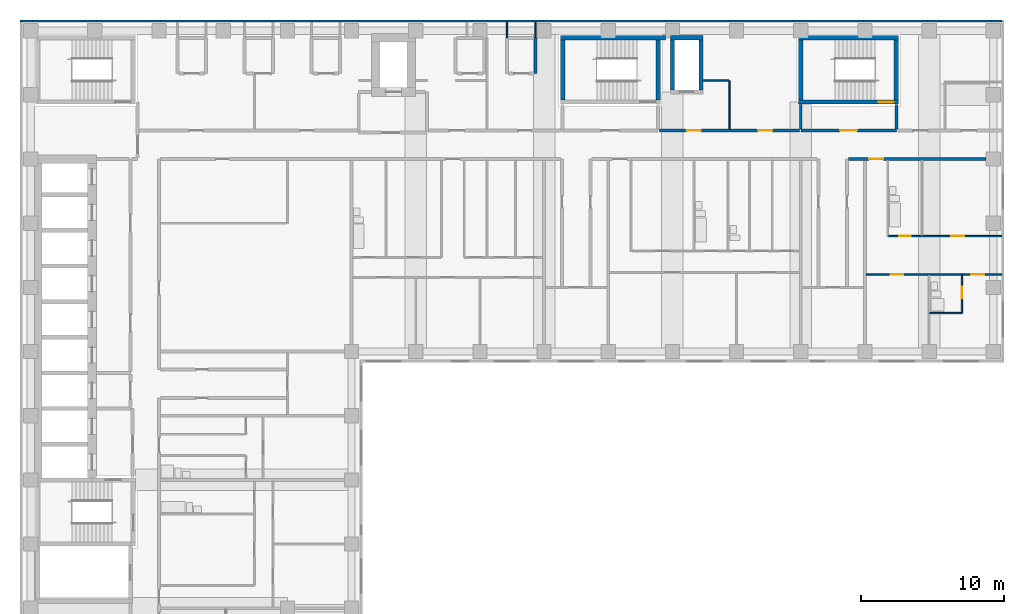
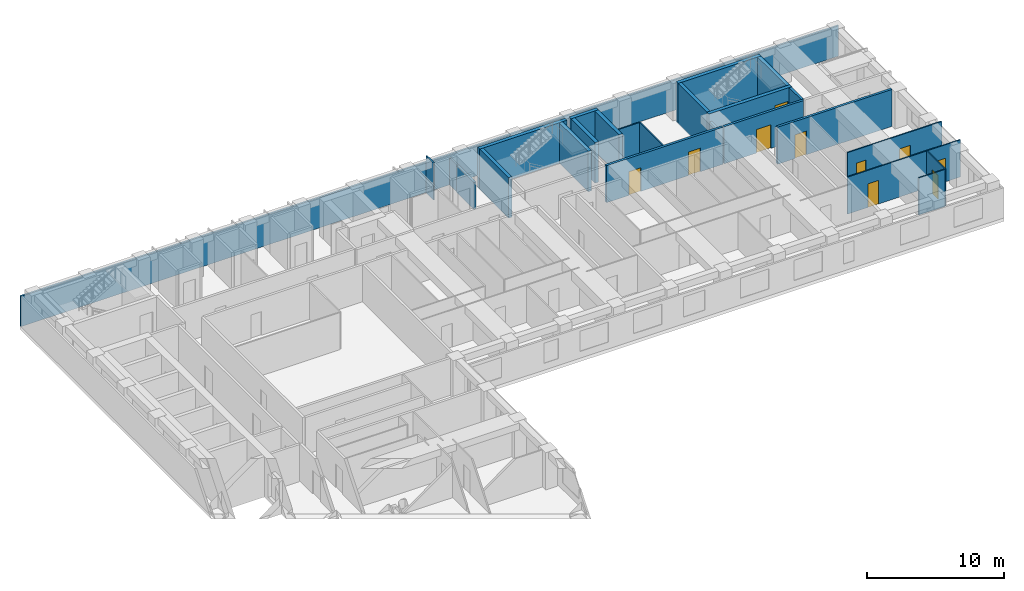
# One storey, part 8 of 11: 25 walls, 10 doors, 10 openings.
"""IFC4 building model written with IfcOpenShell, lengths in metres."""

from ifc_helpers import new_model, si_unit, direction, frame, frame_2d, origin, place, context, subcontext, project, spatial, rectangle, extrude, material, layer, layer_set, type_object, element, fill, save


model = new_model("IFC4")

# Units and contexts
model_context = context("Model", 3, precision=1e-05, world=origin(), true_north=direction((0.0, 1.0)))
body_context = subcontext(model_context, "Body", "Model", "MODEL_VIEW")
ifc_project = project(units=[si_unit("LENGTHUNIT", "METRE"), si_unit("AREAUNIT", "SQUARE_METRE"), si_unit("VOLUMEUNIT", "CUBIC_METRE"), si_unit("PLANEANGLEUNIT", "RADIAN"), si_unit("MASSUNIT", "GRAM", prefix="KILO")], contexts=[model_context])

# Site, building, storey
site_placement = place(None, origin())
site = spatial("IfcSite", under=ifc_project, at=site_placement, CompositionType="ELEMENT")
building_placement = place(site_placement, origin())
building = spatial("IfcBuilding", under=site, at=building_placement, Name="Firuza Court", CompositionType="ELEMENT")
storey_placement = place(building_placement, frame((0.0, 0.0, 130.39990234375)))
storey = spatial("IfcBuildingStorey", under=building, at=storey_placement, Name="L32", CompositionType="ELEMENT", Elevation=130.39990234375)

# Wall
ifc_material_1 = material(Name="Moisture-resistant gypsum board partition")
ifc_layer_1 = layer(ifc_material_1, 0.10009765625)
ifc_layer_set_1 = layer_set([ifc_layer_1], Name="Moisture-resistant gypsum board partition")
wall_type_1 = type_object("IfcWallType", Name="Bathroom partition 100", PredefinedType="PLUMBINGWALL", material=ifc_layer_set_1)
wall_1_placement = place(storey_placement, frame((63.050048828125, 38.699951171875, 0.0), z_axis=(0.0, 0.0, 1.0), x_axis=(1.0, 0.0, 0.0)))
element("IfcWall", 1, at=wall_1_placement, inside=storey, type_object=wall_type_1, Name="Bathroom partition 100 L32", PredefinedType="PLUMBINGWALL", context=body_context, shape_type="SweptSolid", body=[
    extrude(rectangle(XDim=2.199951171875, YDim=0.10009765625, at=frame_2d((1.10009765625, 0.0))), origin(), (0.0, 0.0, 1.0), 3.300048828125),
])

# Wall, opening, door
wall_2_placement = place(storey_placement, frame((65.300048828125, 38.699951171875, 0.0), z_axis=(0.0, 0.0, 1.0), x_axis=(0.0, 1.0, 0.0)))
wall_2 = element("IfcWall", 2, at=wall_2_placement, inside=storey, type_object=wall_type_1, Name="Bathroom partition 100 L32", PredefinedType="PLUMBINGWALL", context=body_context, shape_type="SweptSolid", body=[
    extrude(rectangle(XDim=2.650146484375, YDim=0.10009765625, at=frame_2d((1.3251953125, 0.0))), origin(), (0.0, 0.0, 1.0), 3.300048828125),
])
opening_1_placement = place(wall_2_placement, frame((1.050048828125, 0.0, 0.0)))
opening_1 = element("IfcOpeningElement", 3, at=opening_1_placement, cuts=wall_2, Name="Opening D32038", PredefinedType="OPENING", context=body_context, shape_type="SweptSolid", body=[
    extrude(rectangle(XDim=0.800048828125, YDim=2.10009765625, at=frame_2d((0.39990234375, 1.050048828125))), frame((0.0, 0.06201171875, 0.0), z_axis=(0.0, -1.0, 0.0), x_axis=(1.0, 0.0, 0.0)), (0.0, 0.0, 1.0), 0.1240234375),
])
ifc_material_2 = material(Name="Timber door leaf in hardwood frame", Category="wood")
door_type_1 = type_object("IfcDoorType", Name="Bathroom door 800", OperationType="SINGLE_SWING_LEFT", PredefinedType="DOOR", material=ifc_material_2)
door_1_placement = place(opening_1_placement, origin())
door_1 = element("IfcDoor", 4, at=door_1_placement, inside=storey, type_object=door_type_1, Name="En-suite door", OperationType="SINGLE_SWING_RIGHT", OverallHeight=2.10009765625, OverallWidth=0.800048828125, PredefinedType="DOOR", context=body_context, shape_type="SweptSolid", body=[
    extrude(rectangle(XDim=0.800048828125, YDim=2.10009765625, at=frame_2d((0.39990234375, 1.050048828125))), frame((0.0, 0.02490234375, 0.0), z_axis=(0.0, -1.0, 0.0), x_axis=(1.0, 0.0, 0.0)), (0.0, 0.0, 1.0), 0.050048828125),
])
fill(opening_1, door_1)

# Walls
ifc_material_3 = material(Name="Concrete C60/75", Category="concrete")
ifc_layer_2 = layer(ifc_material_3, 0.300048828125)
ifc_layer_set_2 = layer_set([ifc_layer_2], Name="Concrete C60/75")
wall_type_2 = type_object("IfcWallType", Name="Core wall 300 C60/75", PredefinedType="SHEAR", material=ifc_layer_set_2)
wall_3_placement = place(storey_placement, frame((37.14990234375, 58.0, -0.2998046875), z_axis=(0.0, 0.0, 1.0), x_axis=(1.0, 0.0, 0.0)))
element("IfcWall", 5, at=wall_3_placement, inside=storey, type_object=wall_type_2, Name="Core wall stair L32", PredefinedType="SHEAR", context=body_context, shape_type="SweptSolid", body=[
    extrude(rectangle(XDim=7.35009765625, YDim=0.300048828125, at=frame_2d((3.675048828125, 0.0))), origin(), (0.0, 0.0, 1.0), 3.599853515625),
])
for number, where, z_axis, x_axis, name in (
    (6, (37.300048828125, 53.64990234375, -0.2998046875), (0.0, 0.0, 1.0), (0.0, 1.0, 0.0), "Core wall stair L32"),
    (7, (44.0, 53.64990234375, -0.2998046875), (0.0, 0.0, 1.0), (0.0, 1.0, 0.0), "Core wall stair L32"),
):
    element("IfcWall", number, at=place(storey_placement, frame(where, z_axis=z_axis, x_axis=x_axis)), inside=storey, type_object=wall_type_2, Name=name, PredefinedType="SHEAR", context=body_context, shape_type="SweptSolid", body=[
        extrude(rectangle(XDim=4.2001953125, YDim=0.300048828125, at=frame_2d((2.10009765625, 0.0))), origin(), (0.0, 0.0, 1.0), 3.599853515625),
    ])
wall_4_placement = place(storey_placement, frame((44.85009765625, 58.0, -0.2998046875), z_axis=(0.0, 0.0, 1.0), x_axis=(1.0, 0.0, 0.0)))
element("IfcWall", 8, at=wall_4_placement, inside=storey, type_object=wall_type_2, Name="Core wall riser L32", PredefinedType="SHEAR", context=body_context, shape_type="SweptSolid", body=[
    extrude(rectangle(XDim=2.2998046875, YDim=0.300048828125, at=frame_2d((1.14990234375, 0.0))), origin(), (0.0, 0.0, 1.0), 3.599853515625),
])
for number, where, z_axis, x_axis, name in (
    (9, (45.0, 54.35009765625, -0.2998046875), (0.0, 0.0, 1.0), (0.0, 1.0, 0.0), "Core wall riser L32"),
    (10, (47.0, 54.35009765625, -0.2998046875), (0.0, 0.0, 1.0), (0.0, 1.0, 0.0), "Core wall riser L32"),
):
    element("IfcWall", number, at=place(storey_placement, frame(where, z_axis=z_axis, x_axis=x_axis)), inside=storey, type_object=wall_type_2, Name=name, PredefinedType="SHEAR", context=body_context, shape_type="SweptSolid", body=[
        extrude(rectangle(XDim=3.5, YDim=0.300048828125, at=frame_2d((1.75, 0.0))), origin(), (0.0, 0.0, 1.0), 3.599853515625),
    ])

# Wall, opening, door
wall_5_placement = place(storey_placement, frame((53.85009765625, 53.5, -0.2998046875), z_axis=(0.0, 0.0, 1.0), x_axis=(1.0, 0.0, 0.0)))
wall_5 = element("IfcWall", 11, at=wall_5_placement, inside=storey, type_object=wall_type_2, Name="Core wall stair L32", PredefinedType="SHEAR", context=body_context, shape_type="SweptSolid", body=[
    extrude(rectangle(XDim=7.0, YDim=0.300048828125, at=frame_2d((3.5, 0.0))), origin(), (0.0, 0.0, 1.0), 3.599853515625),
])
opening_2_placement = place(wall_5_placement, frame((5.580078125, 0.0, 0.300048828125)))
opening_2 = element("IfcOpeningElement", 12, at=opening_2_placement, cuts=wall_5, Name="Opening D32016", PredefinedType="OPENING", context=body_context, shape_type="SweptSolid", body=[
    extrude(rectangle(XDim=1.10009765625, YDim=2.10009765625, at=frame_2d((0.550048828125, 1.050048828125))), frame((0.0, 0.162109375, 0.0), z_axis=(0.0, -1.0, 0.0), x_axis=(1.0, 0.0, 0.0)), (0.0, 0.0, 1.0), 0.323974609375),
])
ifc_material_4 = material(Name="Timber door leaf in hardwood frame", Category="wood")
door_type_2 = type_object("IfcDoorType", Name="Stair door 1100", OperationType="SINGLE_SWING_LEFT", PredefinedType="DOOR", material=ifc_material_4)
door_2_placement = place(opening_2_placement, origin())
door_2 = element("IfcDoor", 13, at=door_2_placement, inside=storey, type_object=door_type_2, Name="Stair door S4", OperationType="SINGLE_SWING_RIGHT", OverallHeight=2.10009765625, OverallWidth=1.10009765625, PredefinedType="DOOR", context=body_context, shape_type="SweptSolid", body=[
    extrude(rectangle(XDim=1.10009765625, YDim=2.10009765625, at=frame_2d((0.550048828125, 1.050048828125))), frame((0.0, 0.02490234375, 0.0), z_axis=(0.0, -1.0, 0.0), x_axis=(1.0, 0.0, 0.0)), (0.0, 0.0, 1.0), 0.050048828125),
])
fill(opening_2, door_2)

# Walls
wall_6_placement = place(storey_placement, frame((53.85009765625, 58.0, -0.2998046875), z_axis=(0.0, 0.0, 1.0), x_axis=(1.0, 0.0, 0.0)))
element("IfcWall", 14, at=wall_6_placement, inside=storey, type_object=wall_type_2, Name="Core wall stair L32", PredefinedType="SHEAR", context=body_context, shape_type="SweptSolid", body=[
    extrude(rectangle(XDim=7.0, YDim=0.300048828125, at=frame_2d((3.5, 0.0))), origin(), (0.0, 0.0, 1.0), 3.599853515625),
])
for number, where, z_axis, x_axis, name in (
    (15, (54.0, 53.64990234375, -0.2998046875), (0.0, 0.0, 1.0), (0.0, 1.0, 0.0), "Core wall stair L32"),
    (16, (60.699951171875, 53.64990234375, -0.2998046875), (0.0, 0.0, 1.0), (0.0, 1.0, 0.0), "Core wall stair L32"),
):
    element("IfcWall", number, at=place(storey_placement, frame(where, z_axis=z_axis, x_axis=x_axis)), inside=storey, type_object=wall_type_2, Name=name, PredefinedType="SHEAR", context=body_context, shape_type="SweptSolid", body=[
        extrude(rectangle(XDim=4.2001953125, YDim=0.300048828125, at=frame_2d((2.10009765625, 0.0))), origin(), (0.0, 0.0, 1.0), 3.599853515625),
    ])

# Wall, opening, door
ifc_material_5 = material(Name="Blockwork, plastered both sides", Category="masonry")
ifc_layer_3 = layer(ifc_material_5, 0.199951171875)
ifc_layer_set_3 = layer_set([ifc_layer_3], Name="Blockwork, plastered both sides")
wall_type_3 = type_object("IfcWallType", Name="Corridor wall 200", PredefinedType="PARTITIONING", material=ifc_layer_set_3)
wall_7_placement = place(storey_placement, frame((57.35009765625, 49.5, 0.0), z_axis=(0.0, 0.0, 1.0), x_axis=(1.0, 0.0, 0.0)))
wall_7 = element("IfcWall", 17, at=wall_7_placement, inside=storey, type_object=wall_type_3, Name="Corridor wall 200 L32", PredefinedType="PARTITIONING", context=body_context, shape_type="SweptSolid", body=[
    extrude(rectangle(XDim=9.64990234375, YDim=0.199951171875, at=frame_2d((4.824951171875, 0.0))), origin(), (0.0, 0.0, 1.0), 3.300048828125),
])
opening_3_placement = place(wall_7_placement, frame((1.449951171875, 0.0, 0.0)))
opening_3 = element("IfcOpeningElement", 18, at=opening_3_placement, cuts=wall_7, Name="Opening D32067", PredefinedType="OPENING", context=body_context, shape_type="SweptSolid", body=[
    extrude(rectangle(XDim=1.0, YDim=2.10009765625, at=frame_2d((0.5, 1.050048828125))), frame((0.0, 0.11181640625, 0.0), z_axis=(0.0, -1.0, 0.0), x_axis=(1.0, 0.0, 0.0)), (0.0, 0.0, 1.0), 0.223876953125),
])
ifc_material_6 = material(Name="Timber door leaf in hardwood frame", Category="wood")
door_type_3 = type_object("IfcDoorType", Name="Flat entrance door 1000", OperationType="SINGLE_SWING_LEFT", PredefinedType="DOOR", material=ifc_material_6)
door_3_placement = place(opening_3_placement, origin())
door_3 = element("IfcDoor", 19, at=door_3_placement, inside=storey, type_object=door_type_3, Name="Flat entrance door", OperationType="SINGLE_SWING_LEFT", OverallHeight=2.10009765625, OverallWidth=1.0, PredefinedType="DOOR", context=body_context, shape_type="SweptSolid", body=[
    extrude(rectangle(XDim=1.0, YDim=2.10009765625, at=frame_2d((0.5, 1.050048828125))), frame((0.0, 0.02490234375, 0.0), z_axis=(0.0, -1.0, 0.0), x_axis=(1.0, 0.0, 0.0)), (0.0, 0.0, 1.0), 0.050048828125),
])
fill(opening_3, door_3)

# Wall, openings, doors
wall_8_placement = place(storey_placement, frame((44.10009765625, 51.5, 0.0), z_axis=(0.0, 0.0, 1.0), x_axis=(1.0, 0.0, 0.0)))
wall_8 = element("IfcWall", 20, at=wall_8_placement, inside=storey, type_object=wall_type_3, Name="Corridor wall 200 L32", PredefinedType="PARTITIONING", context=body_context, shape_type="SweptSolid", body=[
    extrude(rectangle(XDim=9.7998046875, YDim=0.199951171875, at=frame_2d((4.89990234375, 0.0))), origin(), (0.0, 0.0, 1.0), 3.300048828125),
])
opening_4_placement = place(wall_8_placement, frame((1.89990234375, 0.0, 0.0)))
opening_4 = element("IfcOpeningElement", 21, at=opening_4_placement, cuts=wall_8, Name="Opening D32072", PredefinedType="OPENING", context=body_context, shape_type="SweptSolid", body=[
    extrude(rectangle(XDim=1.0, YDim=2.10009765625, at=frame_2d((0.5, 1.050048828125))), frame((0.0, 0.11181640625, 0.0), z_axis=(0.0, -1.0, 0.0), x_axis=(1.0, 0.0, 0.0)), (0.0, 0.0, 1.0), 0.223876953125),
])
opening_5_placement = place(wall_8_placement, frame((6.89990234375, 0.0, 0.0)))
opening_5 = element("IfcOpeningElement", 22, at=opening_5_placement, cuts=wall_8, Name="Opening D32073", PredefinedType="OPENING", context=body_context, shape_type="SweptSolid", body=[
    extrude(rectangle(XDim=1.0, YDim=2.10009765625, at=frame_2d((0.5, 1.050048828125))), frame((0.0, 0.11181640625, 0.0), z_axis=(0.0, -1.0, 0.0), x_axis=(1.0, 0.0, 0.0)), (0.0, 0.0, 1.0), 0.223876953125),
])
ifc_material_7 = material(Name="Timber door leaf in hardwood frame", Category="wood")
door_type_4 = type_object("IfcDoorType", Name="Store door 1000", OperationType="SINGLE_SWING_LEFT", PredefinedType="DOOR", material=ifc_material_7)
door_4_placement = place(opening_4_placement, origin())
door_4 = element("IfcDoor", 23, at=door_4_placement, inside=storey, type_object=door_type_4, Name="Cleaner's store door", OperationType="SINGLE_SWING_LEFT", OverallHeight=2.10009765625, OverallWidth=1.0, PredefinedType="DOOR", context=body_context, shape_type="SweptSolid", body=[
    extrude(rectangle(XDim=1.0, YDim=2.10009765625, at=frame_2d((0.5, 1.050048828125))), frame((0.0, 0.02490234375, 0.0), z_axis=(0.0, -1.0, 0.0), x_axis=(1.0, 0.0, 0.0)), (0.0, 0.0, 1.0), 0.050048828125),
])
fill(opening_4, door_4)
door_5_placement = place(opening_5_placement, origin())
door_5 = element("IfcDoor", 24, at=door_5_placement, inside=storey, type_object=door_type_4, Name="Bicycle store door", OperationType="SINGLE_SWING_LEFT", OverallHeight=2.10009765625, OverallWidth=1.0, PredefinedType="DOOR", context=body_context, shape_type="SweptSolid", body=[
    extrude(rectangle(XDim=1.0, YDim=2.10009765625, at=frame_2d((0.5, 1.050048828125))), frame((0.0, 0.02490234375, 0.0), z_axis=(0.0, -1.0, 0.0), x_axis=(1.0, 0.0, 0.0)), (0.0, 0.0, 1.0), 0.050048828125),
])
fill(opening_5, door_5)

ifc_material_8 = material(Name="Timber stud partition, plasterboard both sides", Category="wood")
ifc_layer_4 = layer(ifc_material_8, 0.10009765625)
ifc_layer_set_4 = layer_set([ifc_layer_4], Name="Timber stud partition, plasterboard both sides")
wall_type_4 = type_object("IfcWallType", Name="Partition wall 100", PredefinedType="PARTITIONING", material=ifc_layer_set_4)
wall_9_placement = place(storey_placement, frame((58.60009765625, 41.39990234375, 0.0), z_axis=(0.0, 0.0, 1.0), x_axis=(1.0, 0.0, 0.0)))
wall_9 = element("IfcWall", 25, at=wall_9_placement, inside=storey, type_object=wall_type_4, Name="Partition wall 100 L32", PredefinedType="PARTITIONING", context=body_context, shape_type="SweptSolid", body=[
    extrude(rectangle(XDim=9.5, YDim=0.10009765625, at=frame_2d((4.75, 0.0))), origin(), (0.0, 0.0, 1.0), 3.300048828125),
])
opening_6_placement = place(wall_9_placement, frame((1.699951171875, 0.0, 0.0)))
opening_6 = element("IfcOpeningElement", 26, at=opening_6_placement, cuts=wall_9, Name="Opening D32048", PredefinedType="OPENING", context=body_context, shape_type="SweptSolid", body=[
    extrude(rectangle(XDim=0.89990234375, YDim=2.10009765625, at=frame_2d((0.449951171875, 1.050048828125))), frame((0.0, 0.06201171875, 0.0), z_axis=(0.0, -1.0, 0.0), x_axis=(1.0, 0.0, 0.0)), (0.0, 0.0, 1.0), 0.1240234375),
])
opening_7_placement = place(wall_9_placement, frame((7.35009765625, 0.0, 0.0)))
opening_7 = element("IfcOpeningElement", 27, at=opening_7_placement, cuts=wall_9, Name="Opening D32049", PredefinedType="OPENING", context=body_context, shape_type="SweptSolid", body=[
    extrude(rectangle(XDim=0.89990234375, YDim=2.10009765625, at=frame_2d((0.449951171875, 1.050048828125))), frame((0.0, 0.06201171875, 0.0), z_axis=(0.0, -1.0, 0.0), x_axis=(1.0, 0.0, 0.0)), (0.0, 0.0, 1.0), 0.1240234375),
])
ifc_material_9 = material(Name="Timber door leaf in hardwood frame", Category="wood")
door_type_5 = type_object("IfcDoorType", Name="Room door 900", OperationType="SINGLE_SWING_LEFT", PredefinedType="DOOR", material=ifc_material_9)
door_6_placement = place(opening_6_placement, frame((0.89990234375, 0.0, 0.0), z_axis=(0.0, 0.0, 1.0), x_axis=(-1.0, 0.0, 0.0)))
door_6 = element("IfcDoor", 28, at=door_6_placement, inside=storey, type_object=door_type_5, Name="Living room door", OperationType="SINGLE_SWING_RIGHT", OverallHeight=2.10009765625, OverallWidth=0.89990234375, PredefinedType="DOOR", context=body_context, shape_type="SweptSolid", body=[
    extrude(rectangle(XDim=0.89990234375, YDim=2.10009765625, at=frame_2d((0.449951171875, 1.050048828125))), frame((0.0, 0.02490234375, 0.0), z_axis=(0.0, -1.0, 0.0), x_axis=(1.0, 0.0, 0.0)), (0.0, 0.0, 1.0), 0.050048828125),
])
fill(opening_6, door_6)
door_7_placement = place(opening_7_placement, frame((0.89990234375, 0.0, 0.0), z_axis=(0.0, 0.0, 1.0), x_axis=(-1.0, 0.0, 0.0)))
door_7 = element("IfcDoor", 29, at=door_7_placement, inside=storey, type_object=door_type_5, Name="Bedroom door", OperationType="SINGLE_SWING_RIGHT", OverallHeight=2.10009765625, OverallWidth=0.89990234375, PredefinedType="DOOR", context=body_context, shape_type="SweptSolid", body=[
    extrude(rectangle(XDim=0.89990234375, YDim=2.10009765625, at=frame_2d((0.449951171875, 1.050048828125))), frame((0.0, 0.02490234375, 0.0), z_axis=(0.0, -1.0, 0.0), x_axis=(1.0, 0.0, 0.0)), (0.0, 0.0, 1.0), 0.050048828125),
])
fill(opening_7, door_7)

wall_10_placement = place(storey_placement, frame((60.14990234375, 44.10009765625, 0.0), z_axis=(0.0, 0.0, 1.0), x_axis=(1.0, 0.0, 0.0)))
wall_10 = element("IfcWall", 30, at=wall_10_placement, inside=storey, type_object=wall_type_4, Name="Partition wall 100 L32", PredefinedType="PARTITIONING", context=body_context, shape_type="SweptSolid", body=[
    extrude(rectangle(XDim=7.9501953125, YDim=0.10009765625, at=frame_2d((3.97509765625, 0.0))), origin(), (0.0, 0.0, 1.0), 3.300048828125),
])
opening_8_placement = place(wall_10_placement, frame((0.75, 0.0, 0.0)))
opening_8 = element("IfcOpeningElement", 31, at=opening_8_placement, cuts=wall_10, Name="Opening D32062", PredefinedType="OPENING", context=body_context, shape_type="SweptSolid", body=[
    extrude(rectangle(XDim=0.800048828125, YDim=2.10009765625, at=frame_2d((0.39990234375, 1.050048828125))), frame((0.0, 0.06201171875, 0.0), z_axis=(0.0, -1.0, 0.0), x_axis=(1.0, 0.0, 0.0)), (0.0, 0.0, 1.0), 0.1240234375),
])
opening_9_placement = place(wall_10_placement, frame((4.39990234375, 0.0, 0.0)))
opening_9 = element("IfcOpeningElement", 32, at=opening_9_placement, cuts=wall_10, Name="Opening D32063", PredefinedType="OPENING", context=body_context, shape_type="SweptSolid", body=[
    extrude(rectangle(XDim=0.89990234375, YDim=2.10009765625, at=frame_2d((0.449951171875, 1.050048828125))), frame((0.0, 0.06201171875, 0.0), z_axis=(0.0, -1.0, 0.0), x_axis=(1.0, 0.0, 0.0)), (0.0, 0.0, 1.0), 0.1240234375),
])
door_8_placement = place(opening_8_placement, origin())
door_8 = element("IfcDoor", 33, at=door_8_placement, inside=storey, type_object=door_type_1, Name="Bathroom door", OperationType="SINGLE_SWING_LEFT", OverallHeight=2.10009765625, OverallWidth=0.800048828125, PredefinedType="DOOR", context=body_context, shape_type="SweptSolid", body=[
    extrude(rectangle(XDim=0.800048828125, YDim=2.10009765625, at=frame_2d((0.39990234375, 1.050048828125))), frame((0.0, 0.02490234375, 0.0), z_axis=(0.0, -1.0, 0.0), x_axis=(1.0, 0.0, 0.0)), (0.0, 0.0, 1.0), 0.050048828125),
])
fill(opening_8, door_8)
door_9_placement = place(opening_9_placement, origin())
door_9 = element("IfcDoor", 34, at=door_9_placement, inside=storey, type_object=door_type_5, Name="Kitchen door", OperationType="SINGLE_SWING_LEFT", OverallHeight=2.10009765625, OverallWidth=0.89990234375, PredefinedType="DOOR", context=body_context, shape_type="SweptSolid", body=[
    extrude(rectangle(XDim=0.89990234375, YDim=2.10009765625, at=frame_2d((0.449951171875, 1.050048828125))), frame((0.0, 0.02490234375, 0.0), z_axis=(0.0, -1.0, 0.0), x_axis=(1.0, 0.0, 0.0)), (0.0, 0.0, 1.0), 0.050048828125),
])
fill(opening_9, door_9)

# Walls
wall_11_placement = place(storey_placement, frame((49.0, 51.60009765625, 0.0), z_axis=(0.0, 0.0, 1.0), x_axis=(0.0, 1.0, 0.0)))
element("IfcWall", 35, at=wall_11_placement, inside=storey, type_object=wall_type_4, Name="Partition wall 100 L32", PredefinedType="PARTITIONING", context=body_context, shape_type="SweptSolid", body=[
    extrude(rectangle(XDim=3.39990234375, YDim=0.10009765625, at=frame_2d((1.699951171875, 0.0))), origin(), (0.0, 0.0, 1.0), 3.300048828125),
])
wall_12_placement = place(storey_placement, frame((47.14990234375, 55.0, 0.0), z_axis=(0.0, 0.0, 1.0), x_axis=(1.0, 0.0, 0.0)))
element("IfcWall", 36, at=wall_12_placement, inside=storey, type_object=wall_type_4, Name="Partition wall 100 L32", PredefinedType="PARTITIONING", context=body_context, shape_type="SweptSolid", body=[
    extrude(rectangle(XDim=1.800048828125, YDim=0.10009765625, at=frame_2d((0.89990234375, 0.0))), origin(), (0.0, 0.0, 1.0), 3.300048828125),
])
wall_13_placement = place(storey_placement, frame((33.39990234375, 58.0, 0.0), z_axis=(0.0, 0.0, 1.0), x_axis=(0.0, 1.0, 0.0)))
element("IfcWall", 37, at=wall_13_placement, inside=storey, type_object=wall_type_4, Name="Partition wall 100 L32", PredefinedType="PARTITIONING", context=body_context, shape_type="SweptSolid", body=[
    extrude(rectangle(XDim=1.10009765625, YDim=0.10009765625, at=frame_2d((0.550048828125, 0.0))), origin(), (0.0, 0.0, 1.0), 3.300048828125),
])
wall_14_placement = place(storey_placement, frame((35.39990234375, 58.0, 0.0), z_axis=(0.0, 0.0, 1.0), x_axis=(0.0, 1.0, 0.0)))
element("IfcWall", 38, at=wall_14_placement, inside=storey, type_object=wall_type_4, Name="Partition wall 100 L32", PredefinedType="PARTITIONING", context=body_context, shape_type="SweptSolid", body=[
    extrude(rectangle(XDim=1.10009765625, YDim=0.10009765625, at=frame_2d((0.550048828125, 0.0))), origin(), (0.0, 0.0, 1.0), 2.400146484375),
])
ifc_material_10 = material(Name="Blockwork, fire-rated", Category="masonry")
ifc_layer_5 = layer(ifc_material_10, 0.199951171875)
ifc_layer_set_5 = layer_set([ifc_layer_5], Name="Blockwork, fire-rated")
wall_type_5 = type_object("IfcWallType", Name="Plant room wall 200", PredefinedType="PARTITIONING", material=ifc_layer_set_5)
wall_15_placement = place(storey_placement, frame((35.39990234375, 55.5, 0.0), z_axis=(0.0, 0.0, 1.0), x_axis=(0.0, 1.0, 0.0)))
element("IfcWall", 39, at=wall_15_placement, inside=storey, type_object=wall_type_5, Name="Plant room wall 200 L32", PredefinedType="PARTITIONING", context=body_context, shape_type="SweptSolid", body=[
    extrude(rectangle(XDim=2.5, YDim=0.199951171875, at=frame_2d((1.25, 0.0))), origin(), (0.0, 0.0, 1.0), 2.400146484375),
])
ifc_material_11 = material(Name="Ceramic tile", Category="ceramic")
ifc_layer_6 = layer(ifc_material_11, 0.02001953125)
ifc_material_12 = material(Name="Mineral wool insulation", Category="insulation")
ifc_layer_7 = layer(ifc_material_12, 0.050048828125)
ifc_material_13 = material(Name="Concrete C40/50 precast", Category="concrete")
ifc_layer_8 = layer(ifc_material_13, 0.080078125)
ifc_layer_set_6 = layer_set([ifc_layer_6, ifc_layer_7, ifc_layer_8], Name="Concrete C40/50 precast")
wall_type_6 = type_object("IfcWallType", Name="Precast cladding wall with turquoise TILE PANEL face 150", PredefinedType="STANDARD", material=ifc_layer_set_6)
wall_16_placement = place(storey_placement, frame((68.10009765625, 59.175048828125, 0.0), z_axis=(0.0, 0.0, 1.0), x_axis=(-1.0, 0.0, 0.0)))
element("IfcWall", 40, at=wall_16_placement, inside=storey, type_object=wall_type_6, Name="Facade wall L32 N", PredefinedType="STANDARD", context=body_context, shape_type="SweptSolid", body=[
    extrude(rectangle(XDim=68.85009765625, YDim=0.14990234375, at=frame_2d((34.425048828125, 0.0))), origin(), (0.0, 0.0, 1.0), 2.7001953125),
])

# Wall, opening, door
ifc_layer_9 = layer(ifc_material_10, 0.199951171875)
ifc_layer_set_7 = layer_set([ifc_layer_9], Name="Blockwork, fire-rated")
wall_type_7 = type_object("IfcWallType", Name="Shaft wall 200", PredefinedType="PARTITIONING", material=ifc_layer_set_7)
wall_17_placement = place(storey_placement, frame((54.0, 51.5, 0.0), z_axis=(0.0, 0.0, 1.0), x_axis=(1.0, 0.0, 0.0)))
wall_17 = element("IfcWall", 41, at=wall_17_placement, inside=storey, type_object=wall_type_7, Name="Shaft wall 200 L32", PredefinedType="PARTITIONING", context=body_context, shape_type="SweptSolid", body=[
    extrude(rectangle(XDim=6.699951171875, YDim=0.199951171875, at=frame_2d((3.35009765625, 0.0))), origin(), (0.0, 0.0, 1.0), 3.300048828125),
])
opening_10_placement = place(wall_17_placement, frame((2.75, 0.0, 0.0)))
opening_10 = element("IfcOpeningElement", 42, at=opening_10_placement, cuts=wall_17, Name="Opening D32007", PredefinedType="OPENING", context=body_context, shape_type="SweptSolid", body=[
    extrude(rectangle(XDim=1.199951171875, YDim=2.10009765625, at=frame_2d((0.60009765625, 1.050048828125))), frame((0.0, 0.11181640625, 0.0), z_axis=(0.0, -1.0, 0.0), x_axis=(1.0, 0.0, 0.0)), (0.0, 0.0, 1.0), 0.223876953125),
])
ifc_material_14 = material(Name="Timber door leaf in hardwood frame", Category="wood")
door_type_6 = type_object("IfcDoorType", Name="Lobby door 1200", OperationType="SINGLE_SWING_LEFT", PredefinedType="DOOR", material=ifc_material_14)
door_10_placement = place(opening_10_placement, origin())
door_10 = element("IfcDoor", 43, at=door_10_placement, inside=storey, type_object=door_type_6, Name="Lobby door", OperationType="SINGLE_SWING_LEFT", OverallHeight=2.10009765625, OverallWidth=1.199951171875, PredefinedType="DOOR", context=body_context, shape_type="SweptSolid", body=[
    extrude(rectangle(XDim=1.199951171875, YDim=2.10009765625, at=frame_2d((0.60009765625, 1.050048828125))), frame((0.0, 0.02490234375, 0.0), z_axis=(0.0, -1.0, 0.0), x_axis=(1.0, 0.0, 0.0)), (0.0, 0.0, 1.0), 0.050048828125),
])
fill(opening_10, door_10)

# Walls
wall_18_placement = place(storey_placement, frame((60.699951171875, 51.60009765625, 0.0), z_axis=(0.0, 0.0, 1.0), x_axis=(0.0, 1.0, 0.0)))
element("IfcWall", 44, at=wall_18_placement, inside=storey, type_object=wall_type_7, Name="Shaft wall 200 L32", PredefinedType="PARTITIONING", context=body_context, shape_type="SweptSolid", body=[
    extrude(rectangle(XDim=1.72998046875, YDim=0.199951171875, at=frame_2d((0.864990234375, 0.0))), origin(), (0.0, 0.0, 1.0), 3.300048828125),
])
wall_19_placement = place(storey_placement, frame((54.0, 51.60009765625, 0.0), z_axis=(0.0, 0.0, 1.0), x_axis=(0.0, 1.0, 0.0)))
element("IfcWall", 45, at=wall_19_placement, inside=storey, type_object=wall_type_7, Name="Shaft wall 200 L32", PredefinedType="PARTITIONING", context=body_context, shape_type="SweptSolid", body=[
    extrude(rectangle(XDim=1.72998046875, YDim=0.199951171875, at=frame_2d((0.864990234375, 0.0))), origin(), (0.0, 0.0, 1.0), 2.60009765625),
])

save(model, "model.ifc")
